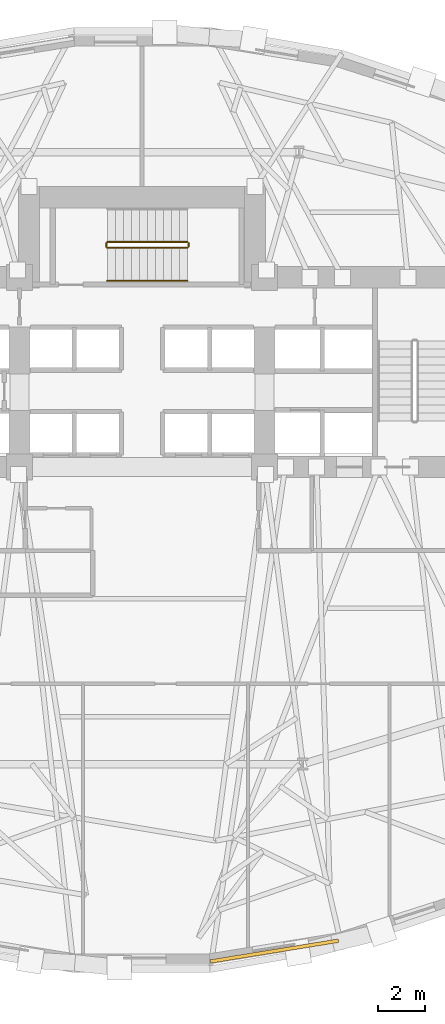
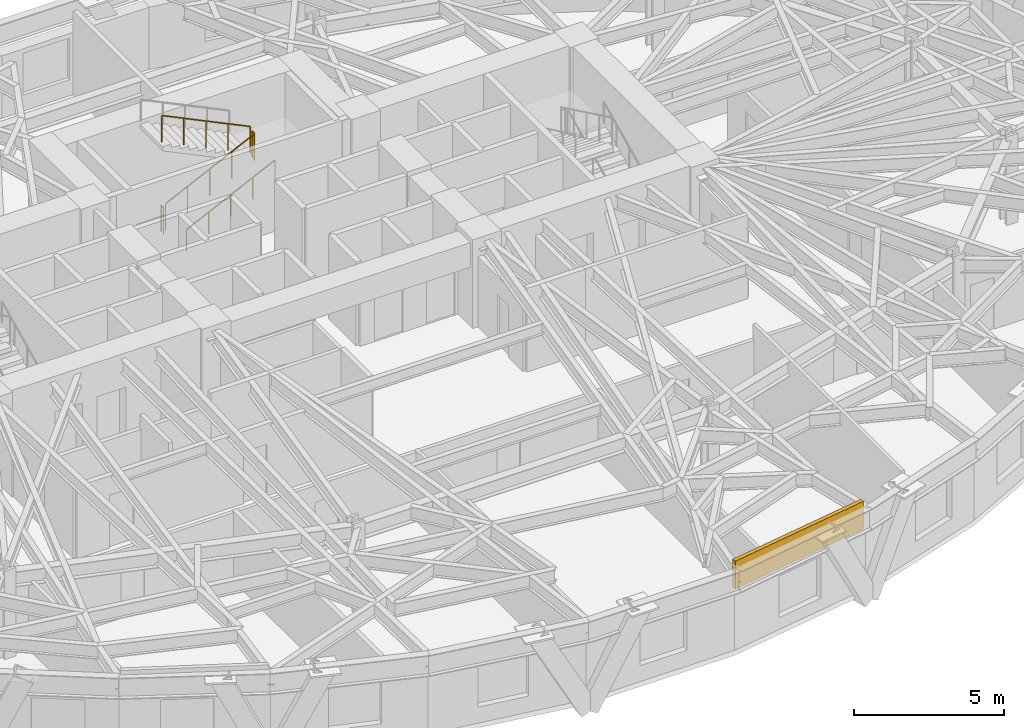
# One storey, part 12 of 14: 5 railings, 1 covering.
"""IFC4 building model written with IfcOpenShell, lengths in metres."""

from ifc_helpers import new_model, si_unit, direction, frame, origin, origin_2d, place, context, subcontext, project, spatial, rectangle, circle, extrude, material, layer, layer_set, type_object, element, save


model = new_model("IFC4")

# Units and contexts
model_context = context("Model", 3, precision=1e-05, world=origin(), true_north=direction((0.0, 1.0)))
body_context = subcontext(model_context, "Body", "Model", "MODEL_VIEW")
ifc_project = project(units=[si_unit("LENGTHUNIT", "METRE"), si_unit("AREAUNIT", "SQUARE_METRE"), si_unit("VOLUMEUNIT", "CUBIC_METRE"), si_unit("PLANEANGLEUNIT", "RADIAN"), si_unit("MASSUNIT", "GRAM", prefix="KILO")], contexts=[model_context])

# Site, building, storey
site_placement = place(None, origin())
site = spatial("IfcSite", under=ifc_project, at=site_placement, CompositionType="ELEMENT")
building_placement = place(site_placement, origin())
building = spatial("IfcBuilding", under=site, at=building_placement, Name="Keldmark Tower", CompositionType="ELEMENT")
storey_placement = place(building_placement, frame((0.0, 0.0, 59.39990234375)))
storey = spatial("IfcBuildingStorey", under=building, at=storey_placement, Name="L15", CompositionType="ELEMENT", Elevation=59.39990234375)

# Covering
ifc_material_1 = material(Name="Honed Kasota Buff Dolomitic Limestone", Category="masonry")
ifc_layer = layer(ifc_material_1, 0.074951171875)
ifc_layer_set = layer_set([ifc_layer], Name="Honed Kasota Buff Dolomitic Limestone")
covering_type = type_object("IfcCoveringType", Name="Kasota Buff Limestone Spandrel Cladding Band", PredefinedType="CLADDING", material=ifc_layer_set)
covering_placement = place(storey_placement, frame((5.618896484375, -19.140869140625, 2.453125), z_axis=(0.0, 0.0, 1.0), x_axis=(0.987058014514, 0.160363574365, 0.0)))
element("IfcCovering", 1, at=covering_placement, inside=storey, type_object=covering_type, Name="L15 Kasota Limestone Spandrel Band 25", PredefinedType="CLADDING", context=body_context, shape_type="SweptSolid", body=[
    extrude(rectangle(XDim=5.501953125, YDim=0.14990234375, at=origin_2d()), origin(), (0.0, 0.0, 1.0), 1.126953125),
])

# Railings
ifc_material_2 = material(Name="Painted Steel ASTM A500 Grade B", Category="steel")
railing_type_1 = type_object("IfcRailingType", Name="Painted Steel Stair Well Guard 1100 mm", PredefinedType="GUARDRAIL", material=ifc_material_2)
railing_1_placement = place(storey_placement, frame((-1.47509765625, 10.699951171875, 0.163818359375)))
element("IfcRailing", 2, at=railing_1_placement, inside=storey, type_object=railing_type_1, Name="L15 ST3 stair guard 1", PredefinedType="GUARDRAIL", context=body_context, shape_type="SweptSolid", body=[
    extrude(circle(Radius=0.02392578125, at=origin_2d()), frame((0.0, 0.0, 1.076171875), z_axis=(0.901092505359, 0.0, 0.433626909666), x_axis=(0.0, 1.0, 0.0)), (0.0, 0.0, 1.0), 3.7734375),
    extrude(circle(Radius=0.02099609375, at=origin_2d()), origin(), (0.0, 0.0, 1.0), 1.052001953125),
    extrude(circle(Radius=0.02099609375, at=origin_2d()), frame((0.85009765625, 0.0, 0.4091796875)), (0.0, 0.0, 1.0), 1.052001953125),
    extrude(circle(Radius=0.02099609375, at=origin_2d()), frame((1.7001953125, 0.0, 0.818115234375)), (0.0, 0.0, 1.0), 1.052001953125),
    extrude(circle(Radius=0.02099609375, at=origin_2d()), frame((2.550048828125, 0.0, 1.22705078125)), (0.0, 0.0, 1.0), 1.052001953125),
    extrude(circle(Radius=0.02099609375, at=origin_2d()), frame((3.400146484375, 0.0, 1.63623046875)), (0.0, 0.0, 1.0), 1.052001953125),
])
railing_2_placement = place(storey_placement, frame((1.97509765625, 10.75, 1.800048828125)))
element("IfcRailing", 3, at=railing_2_placement, inside=storey, type_object=railing_type_1, Name="L15 ST3 stair guard 2", PredefinedType="GUARDRAIL", context=body_context, shape_type="SweptSolid", body=[
    extrude(circle(Radius=0.02392578125, at=origin_2d()), frame((0.0, 0.0, 1.076171875), z_axis=(0.0, 1.0, 0.0), x_axis=(-1.0, 0.0, 0.0)), (0.0, 0.0, 1.0), 0.14990234375),
    extrude(circle(Radius=0.02099609375, at=origin_2d()), origin(), (0.0, 0.0, 1.0), 1.052001953125),
    extrude(circle(Radius=0.02099609375, at=origin_2d()), frame((0.0, 0.14990234375, 0.0)), (0.0, 0.0, 1.0), 1.052001953125),
])
railing_3_placement = place(storey_placement, frame((1.925048828125, 10.949951171875, 1.963623046875)))
element("IfcRailing", 4, at=railing_3_placement, inside=storey, type_object=railing_type_1, Name="L15 ST3 stair guard 3", PredefinedType="GUARDRAIL", context=body_context, shape_type="SweptSolid", body=[
    extrude(circle(Radius=0.02392578125, at=origin_2d()), frame((0.0, 0.0, 1.076171875), z_axis=(-0.901067223353, 0.0, 0.433679442675), x_axis=(0.0, -1.0, 0.0)), (0.0, 0.0, 1.0), 3.7734375),
    extrude(circle(Radius=0.02099609375, at=origin_2d()), origin(), (0.0, 0.0, 1.0), 1.052001953125),
    extrude(circle(Radius=0.02099609375, at=origin_2d()), frame((-0.85009765625, 0.0, 0.4091796875)), (0.0, 0.0, 1.0), 1.052001953125),
    extrude(circle(Radius=0.02099609375, at=origin_2d()), frame((-1.7001953125, 0.0, 0.818359375)), (0.0, 0.0, 1.0), 1.052001953125),
    extrude(circle(Radius=0.02099609375, at=origin_2d()), frame((-2.550048828125, 0.0, 1.227294921875)), (0.0, 0.0, 1.0), 1.052001953125),
    extrude(circle(Radius=0.02099609375, at=origin_2d()), frame((-3.400146484375, 0.0, 1.636474609375)), (0.0, 0.0, 1.0), 1.052001953125),
])
railing_4_placement = place(storey_placement, frame((-1.52490234375, 10.75, 0.0)))
element("IfcRailing", 5, at=railing_4_placement, inside=storey, type_object=railing_type_1, Name="L15 ST3 stair guard 4", PredefinedType="GUARDRAIL", context=body_context, shape_type="SweptSolid", body=[
    extrude(circle(Radius=0.02392578125, at=origin_2d()), frame((0.0, 0.0, 1.076171875), z_axis=(0.0, 1.0, 0.0), x_axis=(-1.0, 0.0, 0.0)), (0.0, 0.0, 1.0), 0.14990234375),
    extrude(circle(Radius=0.02099609375, at=origin_2d()), origin(), (0.0, 0.0, 1.0), 1.052001953125),
    extrude(circle(Radius=0.02099609375, at=origin_2d()), frame((0.0, 0.14990234375, 0.0)), (0.0, 0.0, 1.0), 1.052001953125),
])
ifc_material_3 = material(Name="Stainless Steel AISI 316L", Category="steel")
railing_type_2 = type_object("IfcRailingType", Name="Stainless Steel Stair Handrail 900 mm", PredefinedType="HANDRAIL", material=ifc_material_3)
railing_5_placement = place(storey_placement, frame((-1.47509765625, 9.300048828125, 0.163818359375)))
element("IfcRailing", 6, at=railing_5_placement, inside=storey, type_object=railing_type_2, Name="L15 ST3 stair handrail 1", PredefinedType="HANDRAIL", context=body_context, shape_type="SweptSolid", body=[
    extrude(circle(Radius=0.02392578125, at=origin_2d()), frame((0.0, 0.0, 0.8759765625), z_axis=(0.901092505359, 0.0, 0.433626909666), x_axis=(0.0, 1.0, 0.0)), (0.0, 0.0, 1.0), 3.7734375),
    extrude(circle(Radius=0.02099609375, at=origin_2d()), origin(), (0.0, 0.0, 1.0), 0.851806640625),
    extrude(circle(Radius=0.02099609375, at=origin_2d()), frame((0.85009765625, 0.0, 0.4091796875)), (0.0, 0.0, 1.0), 0.851806640625),
    extrude(circle(Radius=0.02099609375, at=origin_2d()), frame((1.7001953125, 0.0, 0.818115234375)), (0.0, 0.0, 1.0), 0.851806640625),
    extrude(circle(Radius=0.02099609375, at=origin_2d()), frame((2.550048828125, 0.0, 1.22705078125)), (0.0, 0.0, 1.0), 0.851806640625),
    extrude(circle(Radius=0.02099609375, at=origin_2d()), frame((3.400146484375, 0.0, 1.63623046875)), (0.0, 0.0, 1.0), 0.851806640625),
])

save(model, "model.ifc")
